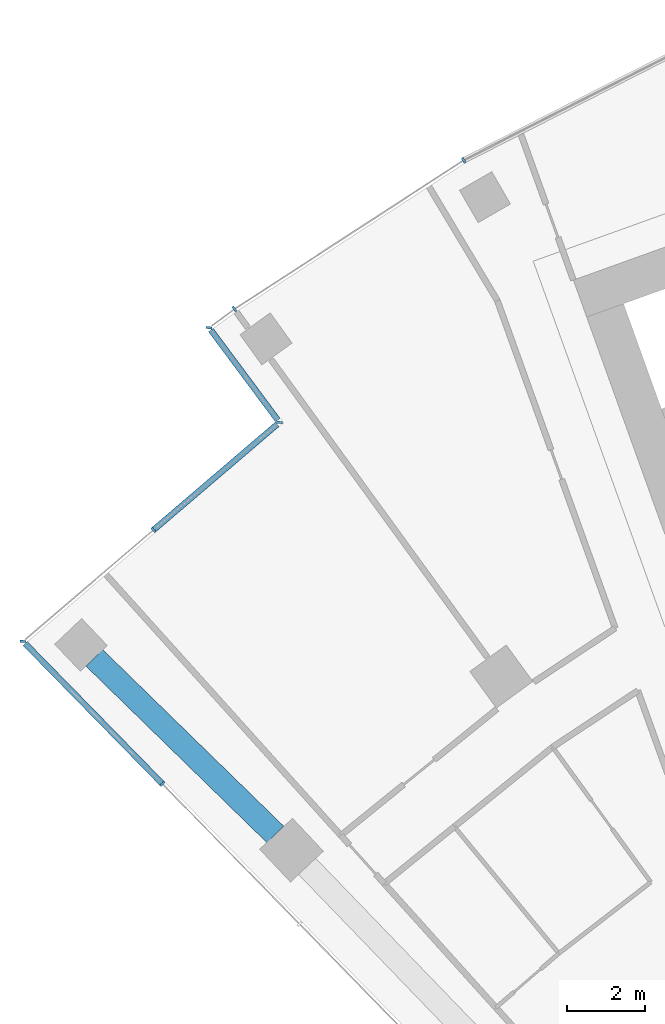
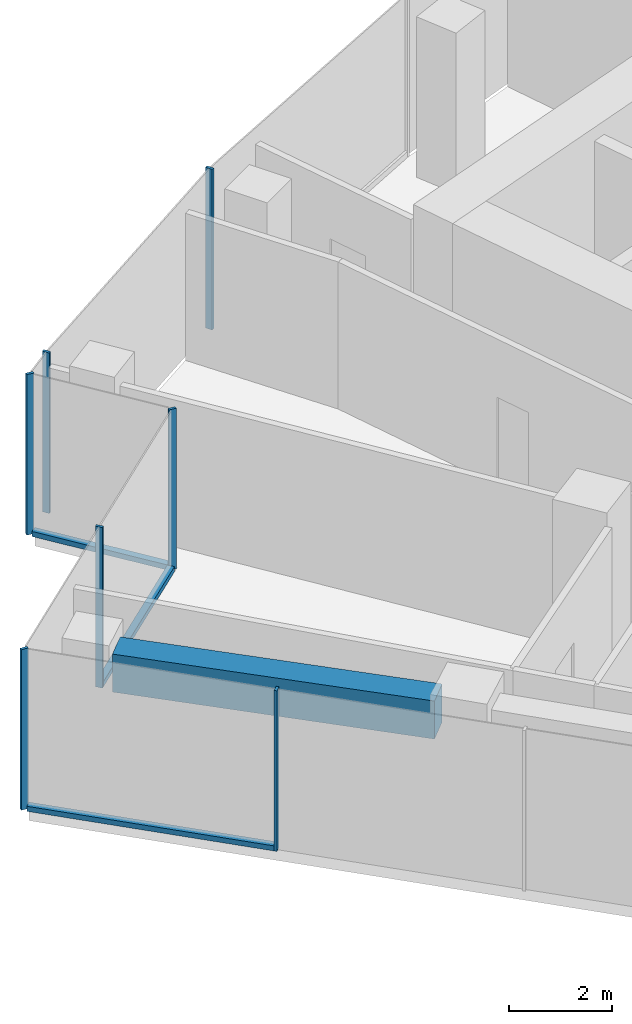
# One storey, part 3 of 18: 10 members, 1 beam, 4 elements without a shape of their own.
"""IFC4 building model written with IfcOpenShell, lengths in metres."""

from ifc_helpers import new_model, si_unit, direction, frame, origin, origin_2d, place, context, subcontext, project, spatial, rectangle, extrude, material, layer, layer_set, material_profile, profile_set, type_object, element, aggregate, save


model = new_model("IFC4")

# Units and contexts
model_context = context("Model", 3, precision=1e-05, world=origin(), true_north=direction((0.0, 1.0)))
body_context = subcontext(model_context, "Body", "Model", "MODEL_VIEW")
ifc_project = project(units=[si_unit("LENGTHUNIT", "METRE"), si_unit("AREAUNIT", "SQUARE_METRE"), si_unit("VOLUMEUNIT", "CUBIC_METRE"), si_unit("PLANEANGLEUNIT", "RADIAN"), si_unit("MASSUNIT", "GRAM", prefix="KILO")], contexts=[model_context])

# Site, building, storey
site_placement = place(None, origin())
site = spatial("IfcSite", under=ifc_project, at=site_placement, CompositionType="ELEMENT")
building_placement = place(site_placement, origin())
building = spatial("IfcBuilding", under=site, at=building_placement, Name="Stone Belt Terrace Tower", CompositionType="ELEMENT")
storey_placement = place(building_placement, frame((0.0, 0.0, 220.0)))
storey = spatial("IfcBuildingStorey", under=building, at=storey_placement, Name="L53", CompositionType="ELEMENT", Elevation=220.0)

# Curtain wall, members
ifc_material_1 = material(Name="Aluminium 6063-T6 anodised frame", Category="aluminium")
ifc_layer_1 = layer(ifc_material_1, 0.14990234375)
ifc_layer_set_1 = layer_set([ifc_layer_1], Name="CW-A unitised convex-face curtain wall")
curtain_wall_type_1 = type_object("IfcCurtainWallType", Name="CW-A unitised convex-face curtain wall", PredefinedType="NOTDEFINED", material=ifc_layer_set_1)
curtain_wall_1_placement = place(storey_placement, origin())
curtain_wall_1 = element("IfcCurtainWall", 1, at=curtain_wall_1_placement, inside=storey, type_object=curtain_wall_type_1, Name="CW-A convex face L53", PredefinedType="NOTDEFINED")
ifc_material_profile_1 = material_profile(ifc_material_1, rectangle(XDim=0.14990234375, YDim=0.06005859375, at=origin_2d()), Name="Aluminium 6063-T6 60x150")
ifc_profile_set_1 = profile_set([ifc_material_profile_1], Name="Aluminium 6063-T6 anodised frame")
member_type_1 = type_object("IfcMemberType", Name="CW-A mullion 60 x 150", PredefinedType="MULLION", material=ifc_profile_set_1)
member_1_placement = place(storey_placement, frame((-33.28759765625, 57.65576171875, 0.0), z_axis=(0.0, 0.0, 1.0), x_axis=(0.5, -0.866025403784, 0.0)))
member_1 = element("IfcMember", 2, at=member_1_placement, type_object=member_type_1, Name="CW-A mullion 14", PredefinedType="MULLION", context=body_context, shape_type="SweptSolid", body=[
    extrude(rectangle(XDim=0.14990234375, YDim=0.06005859375, at=origin_2d()), origin(), (0.0, 0.0, 1.0), 3.800048828125),
])
member_2_placement = place(storey_placement, frame((-39.13037109375, 53.861328125, 0.0), z_axis=(0.0, 0.0, 1.0), x_axis=(0.568647526171, -0.82258129749, 0.0)))
member_2 = element("IfcMember", 3, at=member_2_placement, type_object=member_type_1, Name="CW-A mullion 15", PredefinedType="MULLION", context=body_context, shape_type="SweptSolid", body=[
    extrude(rectangle(XDim=0.14990234375, YDim=0.06005859375, at=origin_2d()), origin(), (0.0, 0.0, 1.0), 3.800048828125),
])
aggregate(curtain_wall_1, [member_1, member_2])

# Curtain wall, member
ifc_layer_2 = layer(ifc_material_1, 0.14990234375)
ifc_layer_set_2 = layer_set([ifc_layer_2], Name="CW-C stick curtain wall, horn ends and notches")
curtain_wall_type_2 = type_object("IfcCurtainWallType", Name="CW-C stick curtain wall, horn ends and notches", PredefinedType="NOTDEFINED", material=ifc_layer_set_2)
curtain_wall_2_placement = place(storey_placement, origin())
curtain_wall_2 = element("IfcCurtainWall", 4, at=curtain_wall_2_placement, inside=storey, type_object=curtain_wall_type_2, Name="CW-C notch face L53", PredefinedType="NOTDEFINED")
ifc_material_profile_2 = material_profile(ifc_material_1, rectangle(XDim=0.14990234375, YDim=0.06005859375, at=origin_2d()), Name="Aluminium 6063-T6 60x150")
ifc_profile_set_2 = profile_set([ifc_material_profile_2], Name="Aluminium 6063-T6 anodised frame")
member_type_2 = type_object("IfcMemberType", Name="CW-C mullion 60 x 150", PredefinedType="MULLION", material=ifc_profile_set_2)
member_3_placement = place(storey_placement, frame((-39.7763671875, 53.38671875, 0.0), z_axis=(0.0, 0.0, 1.0), x_axis=(0.988932903449, -0.148363447234, 0.0)))
member_3 = element("IfcMember", 5, at=member_3_placement, type_object=member_type_2, Name="CW-C mullion 1", PredefinedType="MULLION", context=body_context, shape_type="SweptSolid", body=[
    extrude(rectangle(XDim=0.14990234375, YDim=0.06005859375, at=origin_2d()), origin(), (0.0, 0.0, 1.0), 3.800048828125),
])

# Curtain wall, members
curtain_wall_3_placement = place(storey_placement, origin())
curtain_wall_3 = element("IfcCurtainWall", 6, at=curtain_wall_3_placement, inside=storey, type_object=curtain_wall_type_2, Name="CW-C notch face L53", PredefinedType="NOTDEFINED")
member_4_placement = place(storey_placement, frame((-37.9833984375, 50.974609375, 0.0), z_axis=(0.0, 0.0, 1.0), x_axis=(0.993694649426, -0.112120219865, 0.0)))
member_4 = element("IfcMember", 7, at=member_4_placement, type_object=member_type_2, Name="CW-C mullion 1", PredefinedType="MULLION", context=body_context, shape_type="SweptSolid", body=[
    extrude(rectangle(XDim=0.14990234375, YDim=0.06005859375, at=origin_2d()), origin(), (0.0, 0.0, 1.0), 3.800048828125),
])
member_5_placement = place(storey_placement, frame((-41.195068359375, 48.2314453125, 0.0), z_axis=(0.0, 0.0, 1.0), x_axis=(0.649461685764, -0.760394317919, 0.0)))
member_5 = element("IfcMember", 8, at=member_5_placement, type_object=member_type_2, Name="CW-C mullion 2", PredefinedType="MULLION", context=body_context, shape_type="SweptSolid", body=[
    extrude(rectangle(XDim=0.14990234375, YDim=0.06005859375, at=origin_2d()), origin(), (0.0, 0.0, 1.0), 3.800048828125),
])

curtain_wall_4_placement = place(storey_placement, origin())
curtain_wall_4 = element("IfcCurtainWall", 9, at=curtain_wall_4_placement, inside=storey, type_object=curtain_wall_type_2, Name="CW-C end face L53", PredefinedType="NOTDEFINED")
member_6_placement = place(storey_placement, frame((-44.52099609375, 45.390869140625, 0.0), z_axis=(0.0, 0.0, 1.0), x_axis=(0.999001688967, -0.044672423729, 0.0)))
member_6 = element("IfcMember", 10, at=member_6_placement, type_object=member_type_2, Name="CW-C mullion 1", PredefinedType="MULLION", context=body_context, shape_type="SweptSolid", body=[
    extrude(rectangle(XDim=0.14990234375, YDim=0.06005859375, at=origin_2d()), origin(), (0.0, 0.0, 1.0), 3.800048828125),
])
member_7_placement = place(storey_placement, frame((-40.968017578125, 41.759765625, 0.0), z_axis=(0.0, 0.0, 1.0), x_axis=(0.714739013009, 0.699391266233, 0.0)))
member_7 = element("IfcMember", 11, at=member_7_placement, type_object=member_type_2, Name="CW-C mullion 2", PredefinedType="MULLION", context=body_context, shape_type="SweptSolid", body=[
    extrude(rectangle(XDim=0.14990234375, YDim=0.06005859375, at=origin_2d()), origin(), (0.0, 0.0, 1.0), 3.800048828125),
])

# Member
ifc_material_profile_3 = material_profile(ifc_material_1, rectangle(XDim=0.14990234375, YDim=0.1201171875, at=origin_2d()), Name="Aluminium 6063-T6 150x120")
ifc_profile_set_3 = profile_set([ifc_material_profile_3], Name="Aluminium 6063-T6 anodised frame")
member_type_3 = type_object("IfcMemberType", Name="CW-C transom 120 x 150", PredefinedType="USERDEFINED", material=ifc_profile_set_3)
member_8_placement = place(storey_placement, frame((-39.73193359375, 53.326904296875, 0.06005859375), z_axis=(0.596577214065, -0.802555685082, 0.0), x_axis=(0.802555685082, 0.596577214065, 0.0)))
member_8 = element("IfcMember", 12, at=member_8_placement, type_object=member_type_3, Name="CW-C transom 1.1", ObjectType="TRANSOM", PredefinedType="USERDEFINED", context=body_context, shape_type="SweptSolid", body=[
    extrude(rectangle(XDim=0.14990234375, YDim=0.1201171875, at=origin_2d()), origin(), (0.0, 0.0, 1.0), 2.857666015625),
])

aggregate(curtain_wall_2, [member_3, member_8])

member_9_placement = place(storey_placement, frame((-38.0390625, 50.92724609375, 0.06005859375), z_axis=(-0.760384650427, -0.649473004362, 0.0), x_axis=(0.649473004362, -0.760384650427, 0.0)))
member_9 = element("IfcMember", 13, at=member_9_placement, type_object=member_type_3, Name="CW-C transom 1.1", ObjectType="TRANSOM", PredefinedType="USERDEFINED", context=body_context, shape_type="SweptSolid", body=[
    extrude(rectangle(XDim=0.14990234375, YDim=0.1201171875, at=origin_2d()), origin(), (0.0, 0.0, 1.0), 4.12060546875),
])

aggregate(curtain_wall_3, [member_4, member_5, member_9])

member_10_placement = place(storey_placement, frame((-44.468505859375, 45.3369140625, 0.06005859375), z_axis=(0.699409716111, -0.714720958843, 0.0), x_axis=(0.714720958843, 0.699409716111, 0.0)))
member_10 = element("IfcMember", 14, at=member_10_placement, type_object=member_type_3, Name="CW-C transom 1.1", ObjectType="TRANSOM", PredefinedType="USERDEFINED", context=body_context, shape_type="SweptSolid", body=[
    extrude(rectangle(XDim=0.14990234375, YDim=0.1201171875, at=origin_2d()), origin(), (0.0, 0.0, 1.0), 4.974853515625),
])

aggregate(curtain_wall_4, [member_6, member_7, member_10])

# Beam
ifc_material_2 = material(Name="Concrete B60", Category="concrete")
ifc_material_profile_4 = material_profile(ifc_material_2, rectangle(XDim=0.60009765625, YDim=0.89990234375, at=origin_2d()), Name="RC 600x900")
ifc_profile_set_4 = profile_set([ifc_material_profile_4], Name="Concrete B60")
beam_type = type_object("IfcBeamType", Name="Edge beam RC 600x900 B60", PredefinedType="SPANDREL", material=ifc_profile_set_4)
beam_placement = place(storey_placement, frame((-38.08837890625, 40.470458984375, 3.030029296875), z_axis=(-0.715878935001, 0.698224426973, 0.0), x_axis=(-0.698224426973, -0.715878935001, 0.0)))
element("IfcBeam", 15, at=beam_placement, inside=storey, type_object=beam_type, Name="Edge beam L53 A Q to R", PredefinedType="SPANDREL", context=body_context, shape_type="SweptSolid", body=[
    extrude(rectangle(XDim=0.60009765625, YDim=0.89990234375, at=origin_2d()), origin(), (0.0, 0.0, 1.0), 6.4443359375),
])

save(model, "model.ifc")
